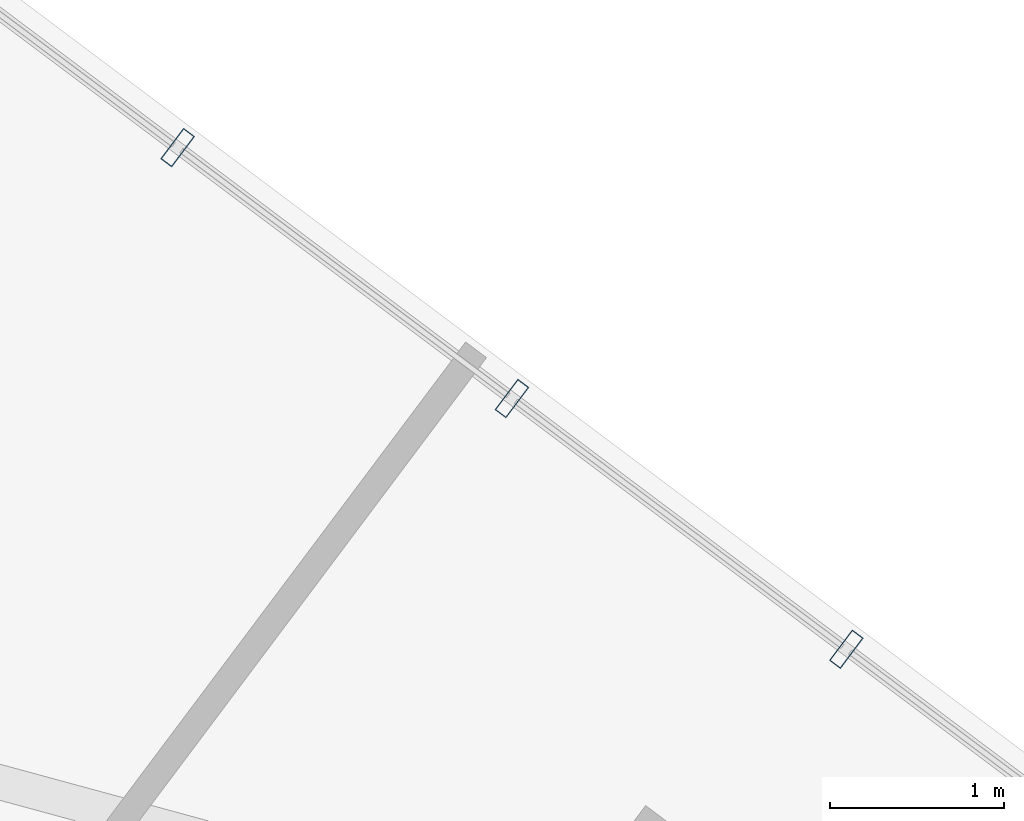
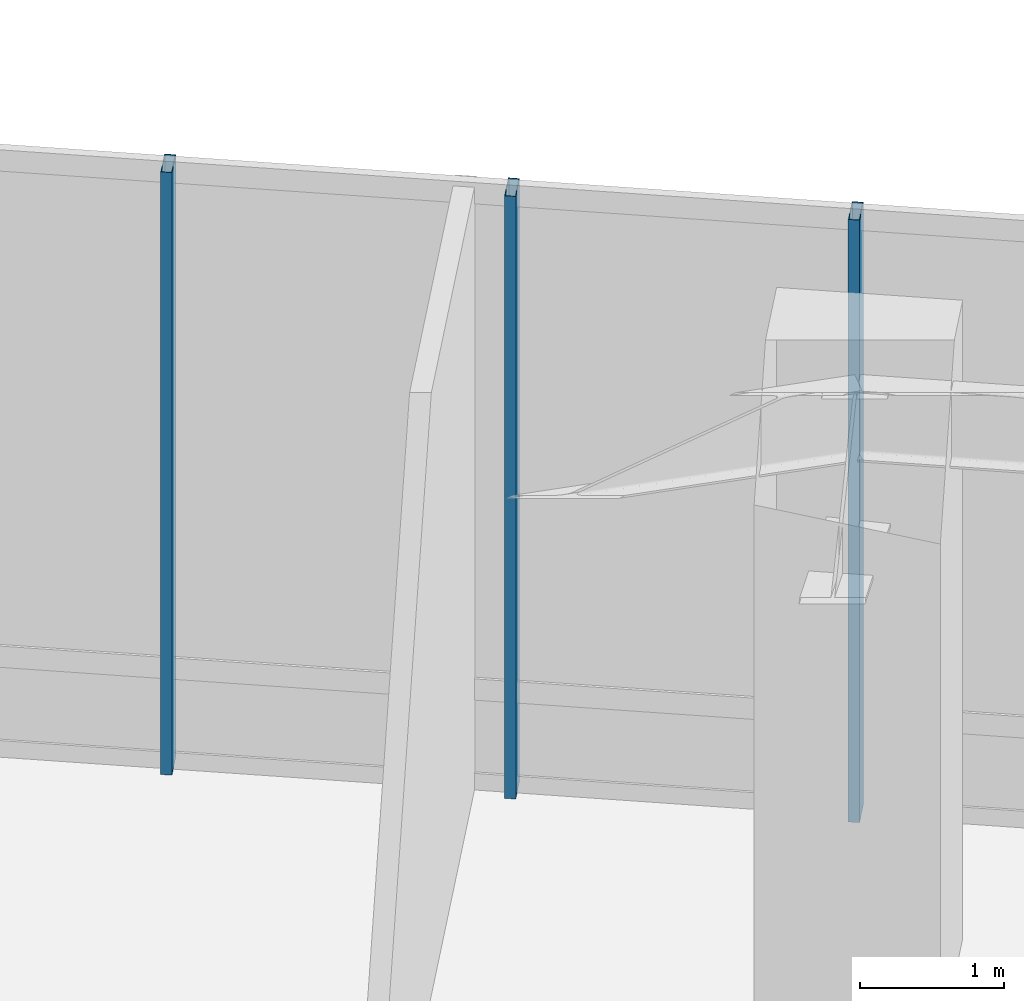
# One storey, part 21 of 35: 3 members, 1 element without a shape of its own.
"""IFC4 building model written with IfcOpenShell, lengths in metres."""

import ifcopenshell
import ifcopenshell.guid

model = None  # the IFC model being written
_history = None  # IfcOwnerHistory: only IFC2X3 demands one
_inside = {}  # id of a spatial element -> (the spatial element, [elements in it])
_under = {}  # id of a project, library or spatial element -> (it, [spatial elements below it])
_declared = {}  # id of a project -> (the project, [libraries it declares])
_typed = {}  # id of a type object -> (the type object, [elements of that type])
_made_of = {}  # id of a material, layer set ... -> (it, [elements and type objects made of it])


def new_model(schema):
    """Start an empty IFC model of exactly this schema.

    Asked for "IFC4X3", IfcOpenShell would pick the latest addendum, in which some entities
    have other attributes; the version numbers below select the first issue.
    IFC2X3 requires an IfcOwnerHistory on every rooted entity: one is made here for all.
    """
    global model, _history
    if schema == "IFC4X3":
        model = ifcopenshell.file(schema_version=(4, 3, 0, 0))
    else:
        model = ifcopenshell.file(schema=schema)
    _inside.clear()
    _under.clear()
    _declared.clear()
    _typed.clear()
    _made_of.clear()
    _history = None
    if model.schema == "IFC2X3":
        org = make("IfcOrganization", Name="unknown")
        user = make(
            "IfcPersonAndOrganization",
            ThePerson=make("IfcPerson", FamilyName="unknown"),
            TheOrganization=org,
        )
        app = make(
            "IfcApplication",
            ApplicationDeveloper=org,
            Version="unknown",
            ApplicationFullName="unknown",
            ApplicationIdentifier="unknown",
        )
        _history = make(
            "IfcOwnerHistory",
            OwningUser=user,
            OwningApplication=app,
            ChangeAction="ADDED",
            CreationDate=0,
        )
    return model


def make(cls, **values):
    """One entity of the class cls with the attributes given. An attribute that is None is left unset."""
    return model.create_entity(
        cls, **{name: value for name, value in values.items() if value is not None}
    )


def rooted(cls, **values):
    """An entity with a GlobalId (a new one), such as an element, a storey or a relation."""
    return make(cls, GlobalId=ifcopenshell.guid.new(), OwnerHistory=_history, **values)


def si_unit(unit_type, name, prefix=None):
    """IfcSIUnit, for example si_unit("LENGTHUNIT", "METRE", prefix="MILLI")."""
    return make("IfcSIUnit", UnitType=unit_type, Prefix=prefix, Name=name)


def assignment(units):
    """IfcUnitAssignment: the units of a project."""
    return None if units is None else make("IfcUnitAssignment", Units=units)


def point(xyz):
    """IfcCartesianPoint."""
    return None if xyz is None else make("IfcCartesianPoint", Coordinates=xyz)


def direction(xyz):
    """IfcDirection."""
    return None if xyz is None else make("IfcDirection", DirectionRatios=xyz)


def frame(location, z_axis=None, x_axis=None):
    """IfcAxis2Placement3D, a coordinate frame: its origin and axes. An axis left out is left unset."""
    return make(
        "IfcAxis2Placement3D",
        Location=point(location),
        Axis=direction(z_axis),
        RefDirection=direction(x_axis),
    )


def frame_2d(location, x_axis=None):
    """IfcAxis2Placement2D, a coordinate frame in the plane: its origin and x axis."""
    return make(
        "IfcAxis2Placement2D", Location=point(location), RefDirection=direction(x_axis)
    )


def origin():
    """The frame at (0, 0, 0) with its axes left unset."""
    return frame((0.0, 0.0, 0.0))


def origin_2d():
    """The frame at (0, 0) in the plane with its x axis left unset."""
    return frame_2d((0.0, 0.0))


def place(relative_to, where):
    """IfcLocalPlacement: puts the frame where relative to a parent placement (None: the world)."""
    return make(
        "IfcLocalPlacement", PlacementRelTo=relative_to, RelativePlacement=where
    )


def context(
    kind, dimensions, precision=None, world=None, true_north=None, identifier=None
):
    """IfcGeometricRepresentationContext, for example the 3D "Model" context."""
    return make(
        "IfcGeometricRepresentationContext",
        ContextIdentifier=identifier,
        ContextType=kind,
        CoordinateSpaceDimension=dimensions,
        Precision=precision,
        WorldCoordinateSystem=world,
        TrueNorth=true_north,
    )


def subcontext(parent, identifier, kind, view, scale=None):
    """IfcGeometricRepresentationSubContext, for example "Body" below "Model"."""
    return make(
        "IfcGeometricRepresentationSubContext",
        ContextIdentifier=identifier,
        ContextType=kind,
        ParentContext=parent,
        TargetScale=scale,
        TargetView=view,
    )


def project(units=None, contexts=None):
    """IfcProject with its units and contexts."""
    return rooted(
        "IfcProject",
        Name="project",
        RepresentationContexts=contexts,
        UnitsInContext=assignment(units),
    )


def spatial(cls, under=None, at=None, **own):
    """A site, building, storey or space (cls), placed at a placement, below another one or the project."""
    s = rooted(cls, ObjectPlacement=at, **own)
    if under is not None:
        _under.setdefault(under.id(), (under, []))[1].append(s)
    return s


def profile(cls, at=None, kind="AREA", **sizes):
    """A parametric profile (cls). Its sizes go by their IFC names, for example OverallWidth=200.0."""
    return make(cls, ProfileType=kind, Position=at, **sizes)


def hollow_rectangle(**sizes):
    """IfcRectangleHollowProfileDef."""
    return profile("IfcRectangleHollowProfileDef", **sizes)


def extrude(swept, where, along, depth):
    """IfcExtrudedAreaSolid: the profile swept, set in the frame where, extruded along a direction by depth."""
    return make(
        "IfcExtrudedAreaSolid",
        SweptArea=swept,
        Position=where,
        ExtrudedDirection=direction(along),
        Depth=depth,
    )


def shape(context_of_items, identifier, shape_type, items):
    """IfcShapeRepresentation: the items that make up one representation, for example the "Body"."""
    return make(
        "IfcShapeRepresentation",
        ContextOfItems=context_of_items,
        RepresentationIdentifier=identifier,
        RepresentationType=shape_type,
        Items=items,
    )


def material(Name=None, Category=None):
    """IfcMaterial."""
    return make("IfcMaterial", Name=Name, Category=Category)


def layer(
    of_material, thickness, ventilated=None, Name=None, Category=None, Priority=None
):
    """IfcMaterialLayer: one layer of a wall or slab, of a material (None: an air gap)."""
    return make(
        "IfcMaterialLayer",
        Material=of_material,
        LayerThickness=thickness,
        IsVentilated=ventilated,
        Name=Name,
        Category=Category,
        Priority=Priority,
    )


def layer_set(layers, Name=None):
    """IfcMaterialLayerSet."""
    return make("IfcMaterialLayerSet", MaterialLayers=layers, LayerSetName=Name)


def material_profile(
    of_material, cross_section, Name=None, Category=None, Priority=None
):
    """IfcMaterialProfile: a cross section and its material."""
    return make(
        "IfcMaterialProfile",
        Name=Name,
        Material=of_material,
        Profile=cross_section,
        Priority=Priority,
        Category=Category,
    )


def profile_set(profiles, Name=None, composite=None):
    """IfcMaterialProfileSet."""
    return make(
        "IfcMaterialProfileSet",
        Name=Name,
        MaterialProfiles=profiles,
        CompositeProfile=composite,
    )


def made_of(thing, what):
    """Note that an element or type object is made of a material, layer set ...; save() writes the relation."""
    if what is not None:
        _made_of.setdefault(what.id(), (what, []))[1].append(thing)
    return thing


def type_object(cls, material=None, **own):
    """A type object (cls), such as IfcWallType, which elements share."""
    return made_of(rooted(cls, **own), material)


def element(
    cls,
    number,
    at=None,
    inside=None,
    cuts=None,
    type_object=None,
    material=None,
    context=None,
    identifier="Body",
    shape_type=None,
    held_by="IfcProductDefinitionShape",
    body=None,
    shapes=None,
    **own,
):
    """One element of the class cls, such as IfcWall. Its Tag is "e" and its number.

    at: its placement. inside: the storey or other place that contains it. cuts: it is an
    opening in that element (IfcRelVoidsElement). A single representation is given by context,
    identifier, shape_type and body (its items); several are given by shapes. held_by: the class
    of the entity that holds the representations. save() writes the other relations.
    """
    e = rooted(cls, Tag="e%d" % number, ObjectPlacement=at, **own)
    if body is not None:
        shapes = [shape(context, identifier, shape_type, body)]
    if shapes is not None:
        e.Representation = make(held_by, Representations=shapes)
    if inside is not None:
        _inside.setdefault(inside.id(), (inside, []))[1].append(e)
    if cuts is not None:
        rooted(
            "IfcRelVoidsElement", RelatingBuildingElement=cuts, RelatedOpeningElement=e
        )
    if type_object is not None:
        _typed.setdefault(type_object.id(), (type_object, []))[1].append(e)
    return made_of(e, material)


def aggregate(whole, parts):
    """IfcRelAggregates: a whole, such as a stair, and the parts it consists of."""
    return rooted("IfcRelAggregates", RelatingObject=whole, RelatedObjects=parts)


def save(model, path):
    """Write the relations noted so far, then the file.

    IfcRelAggregates (storeys below a building ...), IfcRelContainedInSpatialStructure (elements
    in a storey), IfcRelDefinesByType, IfcRelAssociatesMaterial and IfcRelDeclares: one each for
    every whole, place, type object, material and project.
    """
    for whole, parts in _under.values():
        aggregate(whole, parts)
    for where, things in _inside.values():
        rooted(
            "IfcRelContainedInSpatialStructure",
            RelatedElements=things,
            RelatingStructure=where,
        )
    for kind, things in _typed.values():
        rooted("IfcRelDefinesByType", RelatedObjects=things, RelatingType=kind)
    for what, things in _made_of.values():
        rooted("IfcRelAssociatesMaterial", RelatedObjects=things, RelatingMaterial=what)
    for by, libraries in _declared.values():
        rooted("IfcRelDeclares", RelatingContext=by, RelatedDefinitions=libraries)
    model.write(path)


model = new_model("IFC4")

# Units and contexts
model_context = context("Model", 3, precision=1e-05, world=origin(), true_north=direction((0.0, 1.0)))
body_context = subcontext(model_context, "Body", "Model", "MODEL_VIEW")
ifc_project = project(units=[si_unit("LENGTHUNIT", "METRE"), si_unit("AREAUNIT", "SQUARE_METRE"), si_unit("VOLUMEUNIT", "CUBIC_METRE"), si_unit("PLANEANGLEUNIT", "RADIAN"), si_unit("MASSUNIT", "GRAM", prefix="KILO")], contexts=[model_context])

# Site, building, storey
site_placement = place(None, origin())
site = spatial("IfcSite", under=ifc_project, at=site_placement, CompositionType="ELEMENT")
building_placement = place(site_placement, origin())
building = spatial("IfcBuilding", under=site, at=building_placement, Name="Hatsunagi Terrace Concourse", CompositionType="ELEMENT")
storey_placement = place(building_placement, frame((0.0, 0.0, 16.199951171875)))
storey = spatial("IfcBuildingStorey", under=building, at=storey_placement, Name="L04", CompositionType="ELEMENT", Elevation=16.199951171875)

# Curtain wall, members
ifc_material_1 = material(Name="Anodised Aluminium Alloy 6063-T5", Category="aluminium")
ifc_layer = layer(ifc_material_1, 0.199951171875)
ifc_layer_set = layer_set([ifc_layer], Name="PodiumStorefront_CW01")
curtain_wall_type = type_object("IfcCurtainWallType", Name="PodiumStorefront_CW01", PredefinedType="NOTDEFINED", material=ifc_layer_set)
curtain_wall_placement = place(storey_placement, origin())
curtain_wall = element("IfcCurtainWall", 1, at=curtain_wall_placement, inside=storey, type_object=curtain_wall_type, Name="Unitised Curtain Wall CW-01 CW-L04-01", PredefinedType="NOTDEFINED")
ifc_material_2 = material(Name="Anodised Aluminium Alloy 6063-T5", Category="aluminium")
ifc_material_profile = material_profile(ifc_material_2, hollow_rectangle(XDim=0.080078125, YDim=0.219970703125, WallThickness=0.0048828125, at=origin_2d()), Name="ALU-MUL-220x80x5")
ifc_profile_set = profile_set([ifc_material_profile], Name="Anodised Aluminium Alloy 6063-T5")
member_type = type_object("IfcMemberType", Name="CurtainWallMullion_Heavy_220x80", PredefinedType="MULLION", material=ifc_profile_set)
member_1_placement = place(storey_placement, frame((48.701904296875, 37.84912109375, 0.0), z_axis=(0.0, 0.0, 1.0), x_axis=(0.800007305671, -0.599990258982, 0.0)))
member_1 = element("IfcMember", 2, at=member_1_placement, type_object=member_type, Name="Curtain Wall Mullion MUL-01", PredefinedType="MULLION", context=body_context, shape_type="SweptSolid", body=[
    extrude(hollow_rectangle(XDim=0.080078125, YDim=0.219970703125, WallThickness=0.0048828125, at=origin_2d()), origin(), (0.0, 0.0, 1.0), 5.10009765625),
])
member_2_placement = place(storey_placement, frame((50.6220703125, 36.407958984375, 0.0), z_axis=(0.0, 0.0, 1.0), x_axis=(0.800007305671, -0.599990258982, 0.0)))
member_2 = element("IfcMember", 3, at=member_2_placement, type_object=member_type, Name="Curtain Wall Mullion MUL-01", PredefinedType="MULLION", context=body_context, shape_type="SweptSolid", body=[
    extrude(hollow_rectangle(XDim=0.080078125, YDim=0.219970703125, WallThickness=0.0048828125, at=origin_2d()), origin(), (0.0, 0.0, 1.0), 5.10009765625),
])
member_3_placement = place(storey_placement, frame((52.54296875, 34.968017578125, 0.0), z_axis=(0.0, 0.0, 1.0), x_axis=(0.800007305671, -0.599990258982, 0.0)))
member_3 = element("IfcMember", 4, at=member_3_placement, type_object=member_type, Name="Curtain Wall Mullion MUL-01", PredefinedType="MULLION", context=body_context, shape_type="SweptSolid", body=[
    extrude(hollow_rectangle(XDim=0.080078125, YDim=0.219970703125, WallThickness=0.0048828125, at=origin_2d()), origin(), (0.0, 0.0, 1.0), 5.10009765625),
])
aggregate(curtain_wall, [member_1, member_2, member_3])

save(model, "model.ifc")
